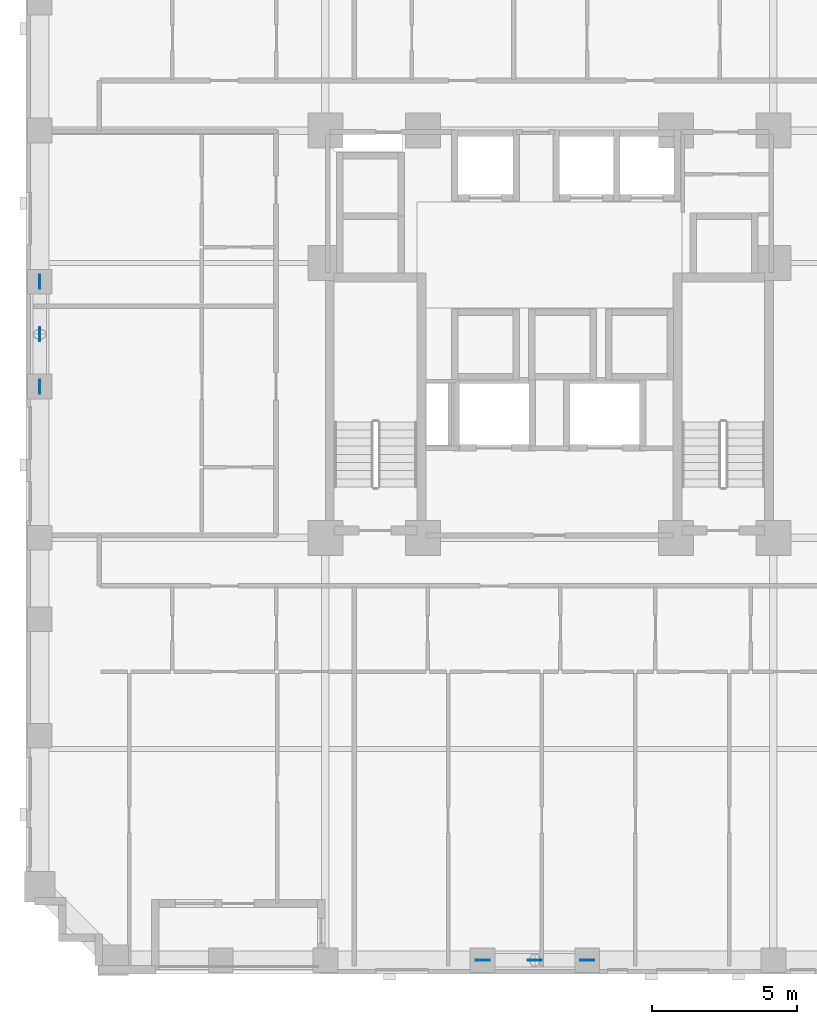
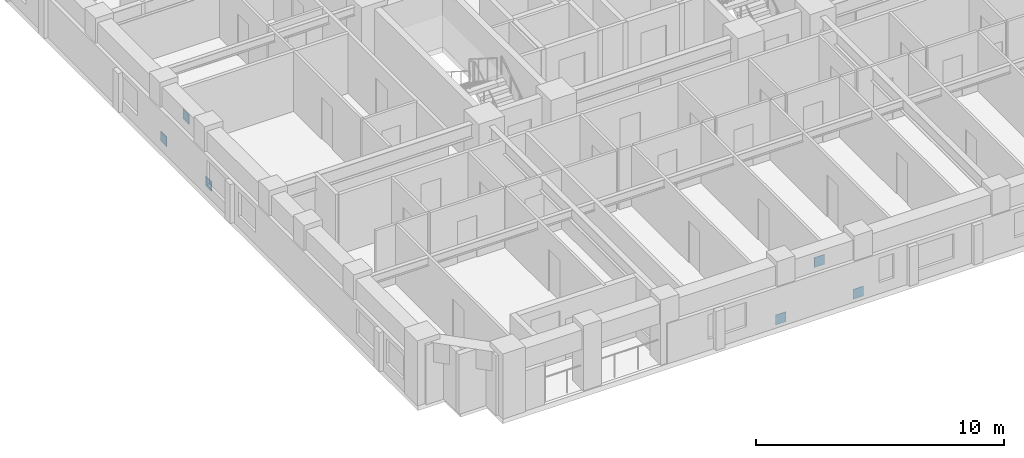
# One storey, part 10 of 14: 6 discrete accessories.
"""IFC4 building model written with IfcOpenShell, lengths in metres."""

from ifc_helpers import new_model, si_unit, derived_unit, direction, frame, origin, origin_2d, place, context, subcontext, project, spatial, rectangle, extrude, material, layer, layer_set, type_object, element, save


model = new_model("IFC4")

# Units and contexts
model_context = context("Model", 3, precision=1e-05, world=origin(), true_north=direction((0.0, 1.0)))
body_context = subcontext(model_context, "Body", "Model", "MODEL_VIEW")
ifc_project = project(units=[si_unit("LENGTHUNIT", "METRE"), si_unit("AREAUNIT", "SQUARE_METRE"), si_unit("VOLUMEUNIT", "CUBIC_METRE"), si_unit("PLANEANGLEUNIT", "RADIAN"), si_unit("MASSUNIT", "GRAM", prefix="KILO"), derived_unit("THERMALTRANSMITTANCEUNIT", [(si_unit("MASSUNIT", "GRAM", prefix="KILO"), 1), (si_unit("TIMEUNIT", "SECOND"), -3), (si_unit("THERMODYNAMICTEMPERATUREUNIT", "KELVIN"), -1)])], contexts=[model_context])

# Site, building, storey
site_placement = place(None, origin())
site = spatial("IfcSite", under=ifc_project, at=site_placement, CompositionType="ELEMENT")
building_placement = place(site_placement, origin())
building = spatial("IfcBuilding", under=site, at=building_placement, Name="Korrvale Station Residences", CompositionType="ELEMENT")
storey_placement = place(building_placement, frame((0.0, 0.0, 61.0)))
storey = spatial("IfcBuildingStorey", under=building, at=storey_placement, Name="L16", CompositionType="ELEMENT", Elevation=61.0)

# Discrete accessories
ifc_material = material(Name="Steel S355", Category="steel")
ifc_layer = layer(ifc_material, 0.02490234375, Name="Steel S355")
ifc_layer_set = layer_set([ifc_layer], Name="Steel S355")
discrete_accessory_type = type_object("IfcDiscreteAccessoryType", Name="ACC-GUSSET-25", PredefinedType="BRACKET", material=ifc_layer_set)
for number, where, z_axis, x_axis, name in (
    (1, (23.199951171875, 0.47998046875, -0.219970703125), (0.0, 0.0, 1.0), (1.0, 0.0, 0.0), "L16 S Brace End Gusset Connection A"),
    (2, (26.800048828125, 0.47998046875, -0.219970703125), (0.0, 0.0, 1.0), (1.0, 0.0, 0.0), "L16 S Brace End Gusset Connection B"),
    (3, (25.0, 0.47998046875, 1.969970703125), (0.0, 0.0, 1.0), (1.0, 0.0, 0.0), "L16 S Brace End Gusset Connection M"),
    (4, (7.97998046875, 20.199951171875, -0.219970703125), (0.0, 0.0, 1.0), (0.0, 1.0, 0.0), "L16 W Brace End Gusset Connection A"),
    (5, (7.97998046875, 23.800048828125, -0.219970703125), (0.0, 0.0, 1.0), (0.0, 1.0, 0.0), "L16 W Brace End Gusset Connection B"),
    (6, (7.97998046875, 22.0, 1.969970703125), (0.0, 0.0, 1.0), (0.0, 1.0, 0.0), "L16 W Brace End Gusset Connection M"),
):
    element("IfcDiscreteAccessory", number, at=place(storey_placement, frame(where, z_axis=z_axis, x_axis=x_axis)), inside=storey, type_object=discrete_accessory_type, Name=name, PredefinedType="BRACKET", context=body_context, shape_type="SweptSolid", body=[
        extrude(rectangle(XDim=0.47998046875, YDim=0.02490234375, at=origin_2d()), origin(), (0.0, 0.0, 1.0), 0.47998046875),
    ])

save(model, "model.ifc")
